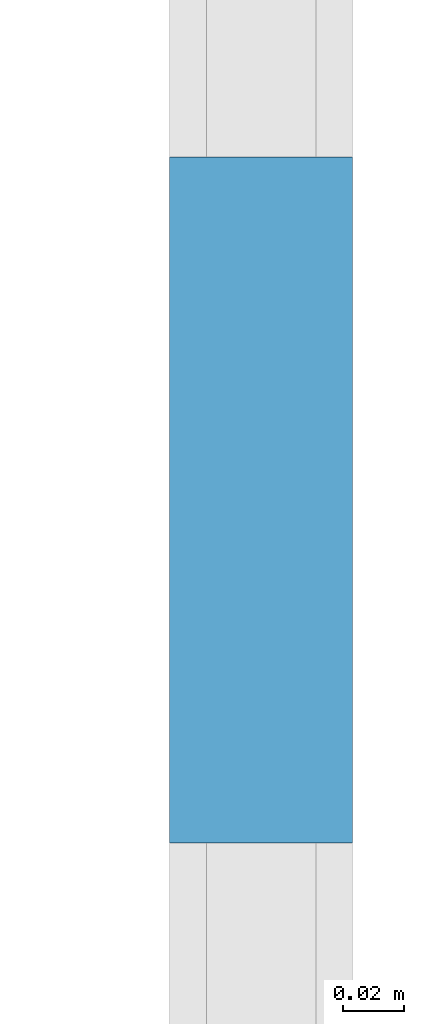
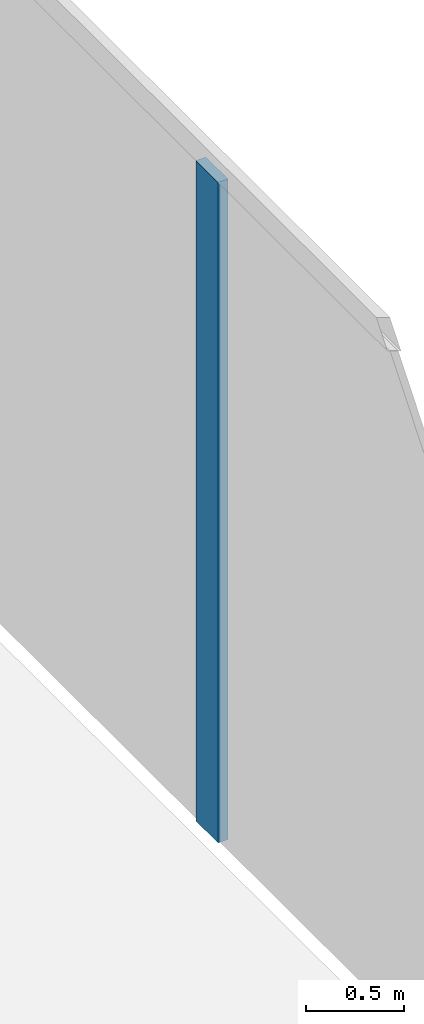
# One storey, part 19 of 47: 1 member, 1 element without a shape of its own.
"""IFC4 building model written with IfcOpenShell, lengths in metres."""

from ifc_helpers import new_model, si_unit, direction, frame, origin, origin_2d, place, context, subcontext, project, spatial, rectangle, extrude, material, layer, layer_set, material_profile, profile_set, type_object, element, aggregate, save


model = new_model("IFC4")

# Units and contexts
model_context = context("Model", 3, precision=1e-05, world=origin(), true_north=direction((0.0, 1.0)))
body_context = subcontext(model_context, "Body", "Model", "MODEL_VIEW")
ifc_project = project(units=[si_unit("LENGTHUNIT", "METRE"), si_unit("AREAUNIT", "SQUARE_METRE"), si_unit("VOLUMEUNIT", "CUBIC_METRE"), si_unit("PLANEANGLEUNIT", "RADIAN"), si_unit("MASSUNIT", "GRAM", prefix="KILO")], contexts=[model_context])

# Site, building, storey
site_placement = place(None, origin())
site = spatial("IfcSite", under=ifc_project, at=site_placement, CompositionType="ELEMENT")
building_placement = place(site_placement, origin())
building = spatial("IfcBuilding", under=site, at=building_placement, Name="Kheshtan School and Residences Tower", CompositionType="ELEMENT")
storey_placement = place(building_placement, frame((0.0, 0.0, 21.5)))
storey = spatial("IfcBuildingStorey", under=building, at=storey_placement, Name="L04", CompositionType="ELEMENT", Elevation=21.5)

# Curtain wall, member
ifc_material_1 = material(Name="Clear low-e glass in thermally broken aluminium frame", Category="aluminium")
ifc_layer = layer(ifc_material_1, 0.22509765625)
ifc_layer_set = layer_set([ifc_layer], Name="Curtain wall CW-P")
curtain_wall_type = type_object("IfcCurtainWallType", Name="Curtain wall CW-P", PredefinedType="NOTDEFINED", material=ifc_layer_set)
curtain_wall_placement = place(storey_placement, origin())
curtain_wall = element("IfcCurtainWall", 1, at=curtain_wall_placement, inside=storey, type_object=curtain_wall_type, Name="Curtain wall CWP8a", PredefinedType="NOTDEFINED")
ifc_material_2 = material(Name="Thermally broken aluminium, dark bronze anodised", Category="aluminium")
ifc_material_profile = material_profile(ifc_material_2, rectangle(XDim=0.06005859375, YDim=0.22509765625, at=origin_2d()), Name="CW-P mullion 60x225")
ifc_profile_set = profile_set([ifc_material_profile], Name="Thermally broken aluminium, dark bronze anodised")
member_type = type_object("IfcMemberType", Name="CW-P mullion 60x225", PredefinedType="MULLION", material=ifc_profile_set)
member_placement = place(storey_placement, frame((132.10009765625, 76.622314453125, 0.0), z_axis=(0.0, 0.0, 1.0), x_axis=(1.0, 0.0, 0.0)))
member = element("IfcMember", 2, at=member_placement, type_object=member_type, Name="CWP8a mullion 6", PredefinedType="MULLION", context=body_context, shape_type="SweptSolid", body=[
    extrude(rectangle(XDim=0.06005859375, YDim=0.22509765625, at=origin_2d()), origin(), (0.0, 0.0, 1.0), 4.110107421875),
])
aggregate(curtain_wall, [member])

save(model, "model.ifc")
